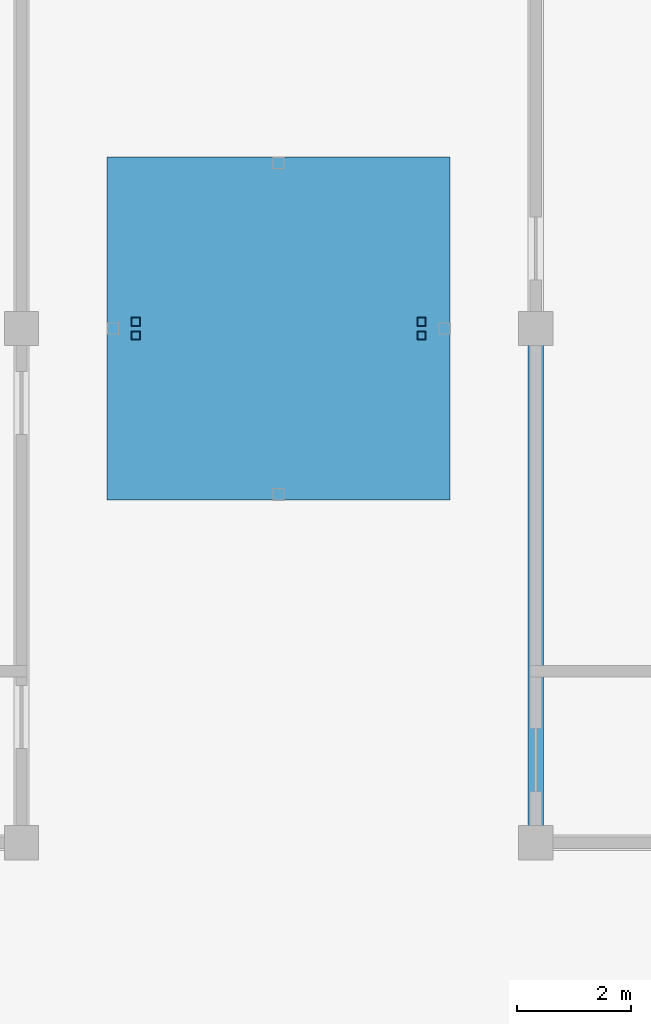
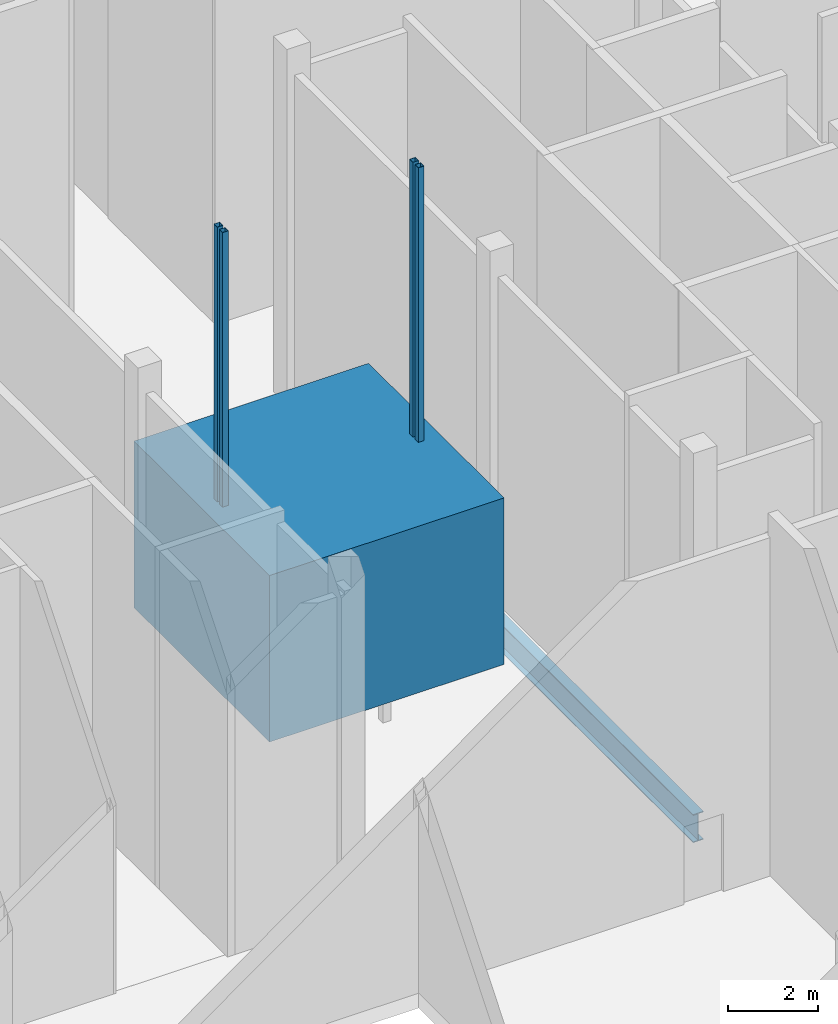
# One storey, part 3 of 16: 5 members, 1 beam.
"""IFC4 building model written with IfcOpenShell, lengths in metres."""

from ifc_helpers import new_model, si_unit, direction, frame, origin, origin_2d, place, context, subcontext, project, spatial, rectangle, hollow_rectangle, i_section, extrude, material, material_profile, profile_set, type_object, element, save


model = new_model("IFC4")

# Units and contexts
model_context = context("Model", 3, precision=1e-05, world=origin(), true_north=direction((0.0, 1.0)))
body_context = subcontext(model_context, "Body", "Model", "MODEL_VIEW")
ifc_project = project(units=[si_unit("LENGTHUNIT", "METRE"), si_unit("AREAUNIT", "SQUARE_METRE"), si_unit("VOLUMEUNIT", "CUBIC_METRE"), si_unit("PLANEANGLEUNIT", "RADIAN"), si_unit("MASSUNIT", "GRAM", prefix="KILO")], contexts=[model_context])

# Site, building, storey
site_placement = place(None, origin())
site = spatial("IfcSite", under=ifc_project, at=site_placement, CompositionType="ELEMENT")
building_placement = place(site_placement, origin())
building = spatial("IfcBuilding", under=site, at=building_placement, Name="Corbelhall Arena Tower", CompositionType="ELEMENT")
storey_placement = place(building_placement, frame((0.0, 0.0, 366.0)))
storey = spatial("IfcBuildingStorey", under=building, at=storey_placement, Name="L80", CompositionType="ELEMENT", Elevation=366.0)

# Beam
ifc_material_1 = material(Name="Steel ASTM A992 Gr50", Category="steel")
ifc_material_profile_1 = material_profile(ifc_material_1, i_section(OverallWidth=0.2666015625, OverallDepth=0.761962890625, WebThickness=0.014404296875, FlangeThickness=0.021484375, at=origin_2d()))
ifc_profile_set_1 = profile_set([ifc_material_profile_1], Name="Steel ASTM A992 Gr50")
beam_type = type_object("IfcBeamType", Name="ST-BEAM-W30x116", PredefinedType="BEAM", material=ifc_profile_set_1)
beam_placement = place(storey_placement, frame((4.5, -9.0, -0.781494140625), z_axis=(0.0, 1.0, 0.0), x_axis=(-1.0, 0.0, 0.0)))
element("IfcBeam", 1, at=beam_placement, inside=storey, type_object=beam_type, Name="Beam CEE 7", PredefinedType="BEAM", context=body_context, shape_type="SweptSolid", body=[
    extrude(i_section(OverallWidth=0.2666015625, OverallDepth=0.761962890625, WebThickness=0.014404296875, FlangeThickness=0.021484375, at=origin_2d()), origin(), (0.0, 0.0, 1.0), 9.0),
])

# Members
ifc_material_2 = material(Name="Steel ASTM A572 Gr50", Category="steel")
member_type_1 = type_object("IfcMemberType", Name="ST-DAMPER-MASS", PredefinedType="USERDEFINED", material=ifc_material_2)
member_placement = place(storey_placement, frame((0.0, 0.0, 0.5), z_axis=(0.0, 0.0, 1.0), x_axis=(1.0, 0.0, 0.0)))
element("IfcMember", 2, at=member_placement, inside=storey, type_object=member_type_1, Name="Damper mass", ObjectType="DAMPER MASS", PredefinedType="USERDEFINED", context=body_context, shape_type="SweptSolid", body=[
    extrude(rectangle(XDim=6.0, YDim=6.0, at=origin_2d()), origin(), (0.0, 0.0, 1.0), 4.5),
])
ifc_material_3 = material(Name="Steel ASTM A500 Gr C", Category="steel")
ifc_material_profile_2 = material_profile(ifc_material_3, hollow_rectangle(XDim=0.15234375, YDim=0.15234375, WallThickness=0.0087890625, at=origin_2d()))
ifc_profile_set_2 = profile_set([ifc_material_profile_2], Name="Steel ASTM A500 Gr C")
member_type_2 = type_object("IfcMemberType", Name="ST-STRUT-HSS6x6x3/8", PredefinedType="STRUT", material=ifc_profile_set_2)
for number, where, z_axis, x_axis, name in (
    (3, (2.5, 0.1201171875, 5.0), (0.0, 0.0, 1.0), (1.0, 0.0, 0.0), "Damper hanger 1"),
    (4, (2.5, -0.1201171875, 5.0), (0.0, 0.0, 1.0), (1.0, 0.0, 0.0), "Damper hanger 2"),
    (5, (-2.5, 0.1201171875, 5.0), (0.0, 0.0, 1.0), (1.0, 0.0, 0.0), "Damper hanger 3"),
    (6, (-2.5, -0.1201171875, 5.0), (0.0, 0.0, 1.0), (1.0, 0.0, 0.0), "Damper hanger 4"),
):
    element("IfcMember", number, at=place(storey_placement, frame(where, z_axis=z_axis, x_axis=x_axis)), inside=storey, type_object=member_type_2, Name=name, PredefinedType="STRUT", context=body_context, shape_type="SweptSolid", body=[
        extrude(hollow_rectangle(XDim=0.15234375, YDim=0.15234375, WallThickness=0.0087890625, at=origin_2d()), origin(), (0.0, 0.0, 1.0), 7.419921875),
    ])

save(model, "model.ifc")
